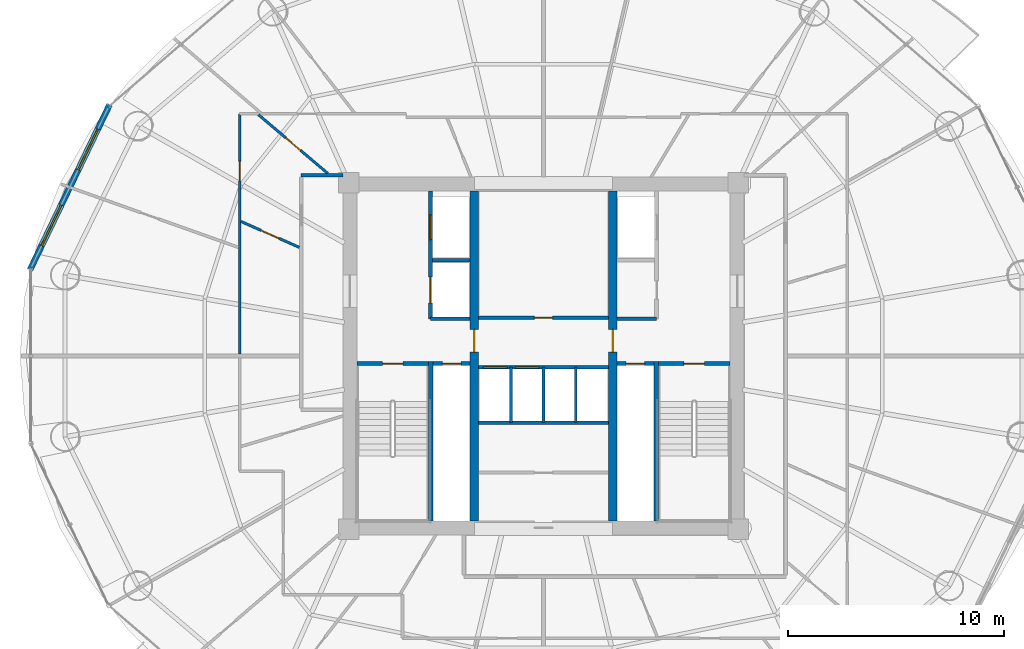
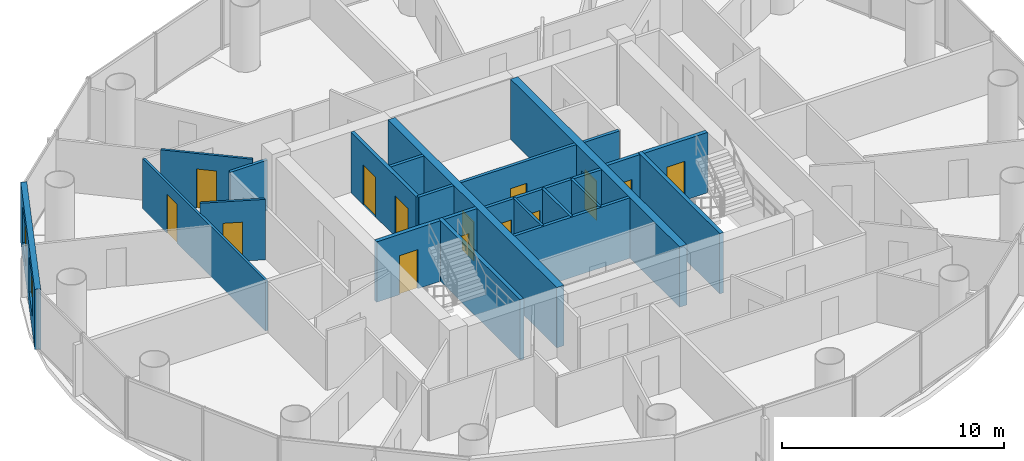
# One storey, part 22 of 27: 23 walls, 14 doors, 2 windows, 16 openings.
"""IFC4 building model written with IfcOpenShell, lengths in metres."""

from ifc_helpers import new_model, si_unit, direction, frame, frame_2d, origin, place, context, subcontext, project, spatial, rectangle, extrude, source, transform, mapped, material, layer, layer_set, type_object, element, fill, save


model = new_model("IFC4")

# Units and contexts
model_context = context("Model", 3, precision=1e-05, world=origin(), true_north=direction((-0.2419218956, 0.970295726276)))
body_context = subcontext(model_context, "Body", "Model", "MODEL_VIEW")
ifc_project = project(units=[si_unit("LENGTHUNIT", "METRE"), si_unit("AREAUNIT", "SQUARE_METRE"), si_unit("VOLUMEUNIT", "CUBIC_METRE"), si_unit("PLANEANGLEUNIT", "RADIAN"), si_unit("MASSUNIT", "GRAM", prefix="KILO")], contexts=[model_context])

# Site, building, storey
site_placement = place(None, origin())
site = spatial("IfcSite", under=ifc_project, at=site_placement, CompositionType="ELEMENT")
building_placement = place(site_placement, origin())
building = spatial("IfcBuilding", under=site, at=building_placement, Name="Cobrevalo Terracotta Tower", CompositionType="ELEMENT")
storey_placement = place(building_placement, frame((0.0, 0.0, 160.60009765625)))
storey = spatial("IfcBuildingStorey", under=building, at=storey_placement, Name="L42", CompositionType="ELEMENT", Elevation=160.60009765625)

# Walls
ifc_material_1 = material(Name="Gypsum board on steel stud", Category="steel")
ifc_layer_1 = layer(ifc_material_1, 0.159912109375)
ifc_layer_set_1 = layer_set([ifc_layer_1], Name="Gypsum board on steel stud")
wall_type_1 = type_object("IfcWallType", Name="Fire-rated corridor acoustic partition wall 160 mm", PredefinedType="PARTITIONING", material=ifc_layer_set_1)
wall_1_placement = place(storey_placement, frame((32.860107421875, 31.219970703125, 0.0), z_axis=(0.0, 0.0, 1.0), x_axis=(1.0, 0.0, 0.0)))
element("IfcWall", 1, at=wall_1_placement, inside=storey, type_object=wall_type_1, Name="L42 interior partition IW-L42-FF1-M", PredefinedType="PARTITIONING", context=body_context, shape_type="SweptSolid", body=[
    extrude(rectangle(XDim=1.75, YDim=0.159912109375, at=frame_2d((0.875, 0.0))), origin(), (0.0, 0.0, 1.0), 3.329833984375),
])
for number, where, z_axis, x_axis, name in (
    (2, (32.77001953125, 28.52001953125, 0.0), (0.0, 0.0, 1.0), (1.0, 0.0, 0.0), "L42 interior partition IW-L42-FF1-S"),
    (3, (41.389892578125, 28.52001953125, 0.0), (0.0, 0.0, 1.0), (1.0, 0.0, 0.0), "L42 interior partition IW-L42-FF2-S"),
):
    element("IfcWall", number, at=place(storey_placement, frame(where, z_axis=z_axis, x_axis=x_axis)), inside=storey, type_object=wall_type_1, Name=name, PredefinedType="PARTITIONING", context=body_context, shape_type="SweptSolid", body=[
        extrude(rectangle(XDim=1.840087890625, YDim=0.159912109375, at=frame_2d((0.919921875, 0.0))), origin(), (0.0, 0.0, 1.0), 3.329833984375),
    ])

# Wall, opening, door
wall_2_placement = place(storey_placement, frame((34.989990234375, 28.56005859375, 0.0), z_axis=(0.0, 0.0, 1.0), x_axis=(1.0, 0.0, 0.0)))
wall_2 = element("IfcWall", 4, at=wall_2_placement, inside=storey, type_object=wall_type_1, Name="L42 interior partition IW-L42-LB-S", PredefinedType="PARTITIONING", context=body_context, shape_type="SweptSolid", body=[
    extrude(rectangle(XDim=6.02001953125, YDim=0.159912109375, at=frame_2d((3.010009765625, 0.0))), origin(), (0.0, 0.0, 1.0), 3.329833984375),
])
opening_1_placement = place(wall_2_placement, frame((2.5849609375, 0.0, 0.0)))
opening_1 = element("IfcOpeningElement", 5, at=opening_1_placement, cuts=wall_2, Name="Opening ID-22", PredefinedType="OPENING", context=body_context, shape_type="SweptSolid", body=[
    extrude(rectangle(XDim=0.85009765625, YDim=2.10009765625, at=frame_2d((0.425048828125, 1.050048828125))), frame((0.0, 0.08984375, 0.0), z_axis=(0.0, -1.0, 0.0), x_axis=(1.0, 0.0, 0.0)), (0.0, 0.0, 1.0), 0.179931640625),
])
ifc_material_2 = material(Name="Powder-coated steel", Category="steel")
door_type_1 = type_object("IfcDoorType", Name="Riser shaft & meter closet fire access door 850x2100 EI 60", OperationType="NOTDEFINED", PredefinedType="DOOR", material=ifc_material_2)
shared_shape_1 = source(origin(), body_context, "Body", "SweptSolid", [
    extrude(rectangle(XDim=0.85009765625, YDim=2.10009765625, at=frame_2d((0.425048828125, 1.050048828125))), frame((0.0, 0.02490234375, 0.0), z_axis=(0.0, -1.0, 0.0), x_axis=(1.0, 0.0, 0.0)), (0.0, 0.0, 1.0), 0.050048828125),
])
door_1_placement = place(opening_1_placement, origin())
door_1 = element("IfcDoor", 6, at=door_1_placement, inside=storey, type_object=door_type_1, Name="L42 core service door Floor Electrical Switchroom", OperationType="SINGLE_SWING_LEFT", OverallHeight=2.10009765625, OverallWidth=0.85009765625, PredefinedType="DOOR", context=body_context, shape_type="MappedRepresentation", body=[
    mapped(shared_shape_1, transform((0.0, 0.0, 0.0), scale=1.0)),
])
fill(opening_1, door_1)

# Wall, openings, doors
wall_3_placement = place(storey_placement, frame((34.989990234375, 26.280029296875, 0.0), z_axis=(0.0, 0.0, 1.0), x_axis=(1.0, 0.0, 0.0)))
wall_3 = element("IfcWall", 7, at=wall_3_placement, inside=storey, type_object=wall_type_1, Name="L42 interior partition IW-L42-MB-N", PredefinedType="PARTITIONING", context=body_context, shape_type="SweptSolid", body=[
    extrude(rectangle(XDim=6.02001953125, YDim=0.159912109375, at=frame_2d((3.010009765625, 0.0))), origin(), (0.0, 0.0, 1.0), 3.329833984375),
])
opening_2_placement = place(wall_3_placement, frame((0.22509765625, 0.0, 0.0)))
opening_2 = element("IfcOpeningElement", 8, at=opening_2_placement, cuts=wall_3, Name="Opening LD-01", PredefinedType="OPENING", context=body_context, shape_type="SweptSolid", body=[
    extrude(rectangle(XDim=1.10009765625, YDim=2.199951171875, at=frame_2d((0.550048828125, 1.10009765625))), frame((0.0, 0.08984375, 0.0), z_axis=(0.0, -1.0, 0.0), x_axis=(1.0, 0.0, 0.0)), (0.0, 0.0, 1.0), 0.179931640625),
])
opening_3_placement = place(wall_3_placement, frame((1.705078125, 0.0, 0.0)))
opening_3 = element("IfcOpeningElement", 9, at=opening_3_placement, cuts=wall_3, Name="Opening LD-01", PredefinedType="OPENING", context=body_context, shape_type="SweptSolid", body=[
    extrude(rectangle(XDim=1.10009765625, YDim=2.199951171875, at=frame_2d((0.550048828125, 1.10009765625))), frame((0.0, 0.08984375, 0.0), z_axis=(0.0, -1.0, 0.0), x_axis=(1.0, 0.0, 0.0)), (0.0, 0.0, 1.0), 0.179931640625),
])
ifc_material_3 = material(Name="Brushed stainless steel", Category="steel")
door_type_2 = type_object("IfcDoorType", Name="Passenger lift landing bi-parting sliding door 1100x2200 EI 90", OperationType="DOUBLE_DOOR_SLIDING", PredefinedType="DOOR", material=ifc_material_3)
shared_shape_2 = source(origin(), body_context, "Body", "SweptSolid", [
    extrude(rectangle(XDim=1.10009765625, YDim=2.199951171875, at=frame_2d((0.550048828125, 1.10009765625))), frame((0.0, 0.02490234375, 0.0), z_axis=(0.0, -1.0, 0.0), x_axis=(1.0, 0.0, 0.0)), (0.0, 0.0, 1.0), 0.050048828125),
])
door_2_placement = place(opening_2_placement, origin())
door_2 = element("IfcDoor", 10, at=door_2_placement, inside=storey, type_object=door_type_2, Name="L42 lift landing door PL-M1", OperationType="DOUBLE_DOOR_SLIDING", OverallHeight=2.199951171875, OverallWidth=1.10009765625, PredefinedType="DOOR", context=body_context, shape_type="MappedRepresentation", body=[
    mapped(shared_shape_2, transform((0.0, 0.0, 0.0), scale=1.0)),
])
fill(opening_2, door_2)
door_3_placement = place(opening_3_placement, origin())
door_3 = element("IfcDoor", 11, at=door_3_placement, inside=storey, type_object=door_type_2, Name="L42 lift landing door PL-M2", OperationType="DOUBLE_DOOR_SLIDING", OverallHeight=2.199951171875, OverallWidth=1.10009765625, PredefinedType="DOOR", context=body_context, shape_type="MappedRepresentation", body=[
    mapped(shared_shape_2, transform((0.0, 0.0, 0.0), scale=1.0)),
])
fill(opening_3, door_3)

# Walls
wall_4_placement = place(storey_placement, frame((34.989990234375, 23.719970703125, 0.0), z_axis=(0.0, 0.0, 1.0), x_axis=(1.0, 0.0, 0.0)))
element("IfcWall", 12, at=wall_4_placement, inside=storey, type_object=wall_type_1, Name="L42 interior partition IW-L42-MB-S", PredefinedType="PARTITIONING", context=body_context, shape_type="SweptSolid", body=[
    extrude(rectangle(XDim=6.02001953125, YDim=0.159912109375, at=frame_2d((3.010009765625, 0.0))), origin(), (0.0, 0.0, 1.0), 3.329833984375),
])
wall_5_placement = place(storey_placement, frame((26.794921875, 35.155029296875, 0.0), z_axis=(0.0, 0.0, 1.0), x_axis=(1.0, 0.0, 0.0)))
element("IfcWall", 13, at=wall_5_placement, inside=storey, type_object=wall_type_1, Name="L42 interior partition IW-L42-COR-WN-CAP", PredefinedType="PARTITIONING", context=body_context, shape_type="SweptSolid", body=[
    extrude(rectangle(XDim=1.93017578125, YDim=0.159912109375, at=frame_2d((0.965087890625, 0.0))), origin(), (0.0, 0.0, 1.0), 2.77587890625),
])

# Wall, opening, door
ifc_layer_2 = layer(ifc_material_1, 0.179931640625)
ifc_layer_set_2 = layer_set([ifc_layer_2], Name="Gypsum board on steel stud")
wall_type_2 = type_object("IfcWallType", Name="Fire-rated shaft & lobby acoustic partition wall 180 mm", PredefinedType="PARTITIONING", material=ifc_layer_set_2)
wall_6_placement = place(storey_placement, frame((32.89990234375, 26.449951171875, 0.0), z_axis=(0.0, 0.0, 1.0), x_axis=(1.0, 0.0, 0.0)))
wall_6 = element("IfcWall", 14, at=wall_6_placement, inside=storey, type_object=wall_type_2, Name="L42 interior partition IW-L42-RSW-N", PredefinedType="PARTITIONING", context=body_context, shape_type="SweptSolid", body=[
    extrude(rectangle(XDim=1.710205078125, YDim=0.179931640625, at=frame_2d((0.85498046875, 0.0))), origin(), (0.0, 0.0, 1.0), 3.329833984375),
])
opening_4_placement = place(wall_6_placement, frame((0.429931640625, 0.0, 0.0)))
opening_4 = element("IfcOpeningElement", 15, at=opening_4_placement, cuts=wall_6, Name="Opening ID-22", PredefinedType="OPENING", context=body_context, shape_type="SweptSolid", body=[
    extrude(rectangle(XDim=0.85009765625, YDim=2.10009765625, at=frame_2d((0.425048828125, 1.050048828125))), frame((0.0, 0.10009765625, 0.0), z_axis=(0.0, -1.0, 0.0), x_axis=(1.0, 0.0, 0.0)), (0.0, 0.0, 1.0), 0.199951171875),
])
door_4_placement = place(opening_4_placement, origin())
door_4 = element("IfcDoor", 16, at=door_4_placement, inside=storey, type_object=door_type_1, Name="L42 riser access door RSW", OperationType="SINGLE_SWING_LEFT", OverallHeight=2.10009765625, OverallWidth=0.85009765625, PredefinedType="DOOR", context=body_context, shape_type="MappedRepresentation", body=[
    mapped(shared_shape_1, transform((0.0, 0.0, 0.0), scale=1.0)),
])
fill(opening_4, door_4)

wall_7_placement = place(storey_placement, frame((41.389892578125, 26.449951171875, 0.0), z_axis=(0.0, 0.0, 1.0), x_axis=(1.0, 0.0, 0.0)))
wall_7 = element("IfcWall", 17, at=wall_7_placement, inside=storey, type_object=wall_type_2, Name="L42 interior partition IW-L42-RSE-N", PredefinedType="PARTITIONING", context=body_context, shape_type="SweptSolid", body=[
    extrude(rectangle(XDim=1.710205078125, YDim=0.179931640625, at=frame_2d((0.85498046875, 0.0))), origin(), (0.0, 0.0, 1.0), 3.329833984375),
])
opening_5_placement = place(wall_7_placement, frame((0.429931640625, 0.0, 0.0)))
opening_5 = element("IfcOpeningElement", 18, at=opening_5_placement, cuts=wall_7, Name="Opening ID-22", PredefinedType="OPENING", context=body_context, shape_type="SweptSolid", body=[
    extrude(rectangle(XDim=0.85009765625, YDim=2.10009765625, at=frame_2d((0.425048828125, 1.050048828125))), frame((0.0, 0.10009765625, 0.0), z_axis=(0.0, -1.0, 0.0), x_axis=(1.0, 0.0, 0.0)), (0.0, 0.0, 1.0), 0.199951171875),
])
door_5_placement = place(opening_5_placement, origin())
door_5 = element("IfcDoor", 19, at=door_5_placement, inside=storey, type_object=door_type_1, Name="L42 riser access door RSE", OperationType="SINGLE_SWING_RIGHT", OverallHeight=2.10009765625, OverallWidth=0.85009765625, PredefinedType="DOOR", context=body_context, shape_type="MappedRepresentation", body=[
    mapped(shared_shape_1, transform((0.0, 0.0, 0.0), scale=1.0)),
])
fill(opening_5, door_5)

# Wall, openings, doors
wall_8_placement = place(storey_placement, frame((32.77001953125, 28.52001953125, 0.0), z_axis=(0.0, 0.0, 1.0), x_axis=(0.0, 1.0, 0.0)))
wall_8 = element("IfcWall", 20, at=wall_8_placement, inside=storey, type_object=wall_type_2, Name="L42 interior partition IW-L42-FF1-W", PredefinedType="PARTITIONING", context=body_context, shape_type="SweptSolid", body=[
    extrude(rectangle(XDim=5.905029296875, YDim=0.179931640625, at=frame_2d((2.95263671875, 0.0))), origin(), (0.0, 0.0, 1.0), 3.329833984375),
])
opening_6_placement = place(wall_8_placement, frame((3.655029296875, 0.0, 0.0)))
opening_6 = element("IfcOpeningElement", 21, at=opening_6_placement, cuts=wall_8, Name="Opening LD-02", PredefinedType="OPENING", context=body_context, shape_type="SweptSolid", body=[
    extrude(rectangle(XDim=1.14990234375, YDim=2.199951171875, at=frame_2d((0.574951171875, 1.10009765625))), frame((0.0, 0.10009765625, 0.0), z_axis=(0.0, -1.0, 0.0), x_axis=(1.0, 0.0, 0.0)), (0.0, 0.0, 1.0), 0.199951171875),
])
opening_7_placement = place(wall_8_placement, frame((0.72998046875, 0.0, 0.0)))
opening_7 = element("IfcOpeningElement", 22, at=opening_7_placement, cuts=wall_8, Name="Opening LD-03", PredefinedType="OPENING", context=body_context, shape_type="SweptSolid", body=[
    extrude(rectangle(XDim=1.199951171875, YDim=2.25, at=frame_2d((0.60009765625, 1.125))), frame((0.0, 0.10009765625, 0.0), z_axis=(0.0, -1.0, 0.0), x_axis=(1.0, 0.0, 0.0)), (0.0, 0.0, 1.0), 0.199951171875),
])
door_type_3 = type_object("IfcDoorType", Name="Firefighting lift landing bi-parting sliding door 1150x2200 EI 120", OperationType="DOUBLE_DOOR_SLIDING", PredefinedType="DOOR", material=ifc_material_3)
shared_shape_3 = source(origin(), body_context, "Body", "SweptSolid", [
    extrude(rectangle(XDim=1.14990234375, YDim=2.199951171875, at=frame_2d((0.574951171875, 1.10009765625))), frame((0.0, 0.02490234375, 0.0), z_axis=(0.0, -1.0, 0.0), x_axis=(1.0, 0.0, 0.0)), (0.0, 0.0, 1.0), 0.050048828125),
])
door_6_placement = place(opening_6_placement, origin())
door_6 = element("IfcDoor", 23, at=door_6_placement, inside=storey, type_object=door_type_3, Name="L42 lift landing door FF-1", OperationType="DOUBLE_DOOR_SLIDING", OverallHeight=2.199951171875, OverallWidth=1.14990234375, PredefinedType="DOOR", context=body_context, shape_type="MappedRepresentation", body=[
    mapped(shared_shape_3, transform((0.0, 0.0, 0.0), scale=1.0)),
])
fill(opening_6, door_6)
door_type_4 = type_object("IfcDoorType", Name="Service lift landing bi-parting sliding door 1200x2250 EI 120", OperationType="DOUBLE_DOOR_SLIDING", PredefinedType="DOOR", material=ifc_material_3)
shared_shape_4 = source(origin(), body_context, "Body", "SweptSolid", [
    extrude(rectangle(XDim=1.199951171875, YDim=2.25, at=frame_2d((0.60009765625, 1.125))), frame((0.0, 0.02490234375, 0.0), z_axis=(0.0, -1.0, 0.0), x_axis=(1.0, 0.0, 0.0)), (0.0, 0.0, 1.0), 0.050048828125),
])
door_7_placement = place(opening_7_placement, origin())
door_7 = element("IfcDoor", 24, at=door_7_placement, inside=storey, type_object=door_type_4, Name="L42 lift landing door SV-1", OperationType="DOUBLE_DOOR_SLIDING", OverallHeight=2.25, OverallWidth=1.199951171875, PredefinedType="DOOR", context=body_context, shape_type="MappedRepresentation", body=[
    mapped(shared_shape_4, transform((0.0, 0.0, 0.0), scale=1.0)),
])
fill(opening_7, door_7)

# Walls
ifc_material_4 = material(Name="Autoclaved aerated concrete block", Category="concrete")
ifc_layer_3 = layer(ifc_material_4, 0.1201171875)
ifc_layer_set_3 = layer_set([ifc_layer_3], Name="Autoclaved aerated concrete block")
wall_type_3 = type_object("IfcWallType", Name="Fire-rated wet-room & core service partition 120 mm", PredefinedType="PARTITIONING", material=ifc_layer_set_3)
for number, where, z_axis, x_axis, name in (
    (25, (36.5, 23.719970703125, 0.0), (0.0, 0.0, 1.0), (0.0, 1.0, 0.0), "L42 interior partition IW-L42-MB-D1"),
    (26, (39.5, 23.719970703125, 0.0), (0.0, 0.0, 1.0), (0.0, 1.0, 0.0), "L42 interior partition IW-L42-MB-D3"),
):
    element("IfcWall", number, at=place(storey_placement, frame(where, z_axis=z_axis, x_axis=x_axis)), inside=storey, type_object=wall_type_3, Name=name, PredefinedType="PARTITIONING", context=body_context, shape_type="SweptSolid", body=[
        extrude(rectangle(XDim=2.56005859375, YDim=0.1201171875, at=frame_2d((1.280029296875, 0.0))), origin(), (0.0, 0.0, 1.0), 3.329833984375),
    ])

# Wall, openings, windows
ifc_layer_4 = layer(ifc_material_4, 0.280029296875)
ifc_layer_set_4 = layer_set([ifc_layer_4], Name="Autoclaved aerated concrete block")
wall_type_4 = type_object("IfcWallType", Name="Insulated tower spandrel & pier wall 280 mm with terracotta rainscreen", PredefinedType="SOLIDWALL", material=ifc_layer_set_4)
wall_9_placement = place(storey_placement, frame((17.938232421875, 38.411376953125, 0.0), z_axis=(0.0, 0.0, 1.0), x_axis=(-0.434209827226, -0.900811759437, 0.0)))
wall_9 = element("IfcWall", 27, at=wall_9_placement, inside=storey, type_object=wall_type_4, Name="L42 terracotta rainscreen pier wall S07", PredefinedType="SOLIDWALL", context=body_context, shape_type="SweptSolid", body=[
    extrude(rectangle(XDim=8.4716796875, YDim=0.280029296875, at=frame_2d((4.23583984375, 0.0))), origin(), (0.0, 0.0, 1.0), 3.329833984375),
])
opening_8_placement = place(wall_9_placement, frame((1.2373046875, 0.0, 0.85009765625)))
opening_8 = element("IfcOpeningElement", 28, at=opening_8_placement, cuts=wall_9, Name="Opening WN-10", PredefinedType="OPENING", context=body_context, shape_type="SweptSolid", body=[
    extrude(rectangle(XDim=2.10009765625, YDim=1.949951171875, at=frame_2d((1.050048828125, 0.97509765625))), frame((0.0, 0.14990234375, 0.0), z_axis=(0.0, -1.0, 0.0), x_axis=(1.0, 0.0, 0.0)), (0.0, 0.0, 1.0), 0.300048828125),
])
opening_9_placement = place(wall_9_placement, frame((5.13427734375, 0.0, 0.85009765625)))
opening_9 = element("IfcOpeningElement", 29, at=opening_9_placement, cuts=wall_9, Name="Opening WN-10", PredefinedType="OPENING", context=body_context, shape_type="SweptSolid", body=[
    extrude(rectangle(XDim=2.10009765625, YDim=1.949951171875, at=frame_2d((1.050048828125, 0.97509765625))), frame((0.0, 0.14990234375, 0.0), z_axis=(0.0, -1.0, 0.0), x_axis=(1.0, 0.0, 0.0)), (0.0, 0.0, 1.0), 0.300048828125),
])
ifc_material_5 = material(Name="Solar-control low-E double glazing", Category="glass")
window_type = type_object("IfcWindowType", Name="Wide panoramic low-E aluminium window 2100x1950", PartitioningType="SINGLE_PANEL", PredefinedType="WINDOW", material=ifc_material_5)
shared_shape_5 = source(origin(), body_context, "Body", "SweptSolid", [
    extrude(rectangle(XDim=2.10009765625, YDim=1.949951171875, at=frame_2d((1.050048828125, 0.97509765625))), frame((0.0, 0.030029296875, 0.0), z_axis=(0.0, -1.0, 0.0), x_axis=(1.0, 0.0, 0.0)), (0.0, 0.0, 1.0), 0.06005859375),
])
window_1_placement = place(opening_8_placement, origin())
window_1 = element("IfcWindow", 30, at=window_1_placement, inside=storey, type_object=window_type, Name="L42 suite window S07A", OverallHeight=1.949951171875, OverallWidth=2.10009765625, PartitioningType="SINGLE_PANEL", PredefinedType="WINDOW", context=body_context, shape_type="MappedRepresentation", body=[
    mapped(shared_shape_5, transform((0.0, 0.0, 0.0), scale=1.0)),
])
fill(opening_8, window_1)
window_2_placement = place(opening_9_placement, origin())
window_2 = element("IfcWindow", 31, at=window_2_placement, inside=storey, type_object=window_type, Name="L42 suite window S07B", OverallHeight=1.949951171875, OverallWidth=2.10009765625, PartitioningType="SINGLE_PANEL", PredefinedType="WINDOW", context=body_context, shape_type="MappedRepresentation", body=[
    mapped(shared_shape_5, transform((0.0, 0.0, 0.0), scale=1.0)),
])
fill(opening_9, window_2)

# Wall, opening, door
ifc_material_6 = material(Name="Concrete C50", Category="concrete")
ifc_layer_5 = layer(ifc_material_6, 0.3798828125)
ifc_layer_set_5 = layer_set([ifc_layer_5], Name="Concrete C50")
wall_type_5 = type_object("IfcWallType", Name="Internal core shear web wall 380 mm Concrete C50", PredefinedType="SHEAR", material=ifc_layer_set_5)
wall_10_placement = place(storey_placement, frame((34.800048828125, 19.175048828125, 0.0), z_axis=(0.0, 0.0, 1.0), x_axis=(0.0, 1.0, 0.0)))
wall_10 = element("IfcWall", 32, at=wall_10_placement, inside=storey, type_object=wall_type_5, Name="L42 internal core shear wall WEB-W", PredefinedType="SHEAR", context=body_context, shape_type="SweptSolid", body=[
    extrude(rectangle(XDim=15.25, YDim=0.3798828125, at=frame_2d((7.625, 0.0))), origin(), (0.0, 0.0, 1.0), 3.329833984375),
])
opening_10_placement = place(wall_10_placement, frame((7.800048828125, 0.0, 0.0)))
opening_10 = element("IfcOpeningElement", 33, at=opening_10_placement, cuts=wall_10, Name="Opening ID-11", PredefinedType="OPENING", context=body_context, shape_type="SweptSolid", body=[
    extrude(rectangle(XDim=1.050048828125, YDim=2.14990234375, at=frame_2d((0.52490234375, 1.074951171875))), frame((0.0, 0.199951171875, 0.0), z_axis=(0.0, -1.0, 0.0), x_axis=(1.0, 0.0, 0.0)), (0.0, 0.0, 1.0), 0.39990234375),
])
ifc_material_7 = material(Name="Galvanized fire-rated steel", Category="steel")
door_type_5 = type_object("IfcDoorType", Name="Core concourse cross fire door 1050x2150 EI 90", OperationType="NOTDEFINED", PredefinedType="DOOR", material=ifc_material_7)
shared_shape_6 = source(origin(), body_context, "Body", "SweptSolid", [
    extrude(rectangle(XDim=1.050048828125, YDim=2.14990234375, at=frame_2d((0.52490234375, 1.074951171875))), frame((0.0, 0.02490234375, 0.0), z_axis=(0.0, -1.0, 0.0), x_axis=(1.0, 0.0, 0.0)), (0.0, 0.0, 1.0), 0.050048828125),
])
door_8_placement = place(opening_10_placement, origin())
door_8 = element("IfcDoor", 34, at=door_8_placement, inside=storey, type_object=door_type_5, Name="L42 west core concourse cross door", OperationType="SINGLE_SWING_LEFT", OverallHeight=2.14990234375, OverallWidth=1.050048828125, PredefinedType="DOOR", context=body_context, shape_type="MappedRepresentation", body=[
    mapped(shared_shape_6, transform((0.0, 0.0, 0.0), scale=1.0)),
])
fill(opening_10, door_8)

wall_11_placement = place(storey_placement, frame((41.199951171875, 19.175048828125, 0.0), z_axis=(0.0, 0.0, 1.0), x_axis=(0.0, 1.0, 0.0)))
wall_11 = element("IfcWall", 35, at=wall_11_placement, inside=storey, type_object=wall_type_5, Name="L42 internal core shear wall WEB-E", PredefinedType="SHEAR", context=body_context, shape_type="SweptSolid", body=[
    extrude(rectangle(XDim=15.25, YDim=0.3798828125, at=frame_2d((7.625, 0.0))), origin(), (0.0, 0.0, 1.0), 3.329833984375),
])
opening_11_placement = place(wall_11_placement, frame((7.800048828125, 0.0, 0.0)))
opening_11 = element("IfcOpeningElement", 36, at=opening_11_placement, cuts=wall_11, Name="Opening ID-11", PredefinedType="OPENING", context=body_context, shape_type="SweptSolid", body=[
    extrude(rectangle(XDim=1.050048828125, YDim=2.14990234375, at=frame_2d((0.52490234375, 1.074951171875))), frame((0.0, 0.199951171875, 0.0), z_axis=(0.0, -1.0, 0.0), x_axis=(1.0, 0.0, 0.0)), (0.0, 0.0, 1.0), 0.39990234375),
])
door_9_placement = place(opening_11_placement, frame((1.050048828125, 0.0, 0.0), z_axis=(0.0, 0.0, 1.0), x_axis=(-1.0, 0.0, 0.0)))
door_9 = element("IfcDoor", 37, at=door_9_placement, inside=storey, type_object=door_type_5, Name="L42 east core concourse cross door", OperationType="SINGLE_SWING_RIGHT", OverallHeight=2.14990234375, OverallWidth=1.050048828125, PredefinedType="DOOR", context=body_context, shape_type="MappedRepresentation", body=[
    mapped(shared_shape_6, transform((0.0, 0.0, 0.0), scale=1.0)),
])
fill(opening_11, door_9)

# Wall
ifc_layer_6 = layer(ifc_material_4, 0.139892578125)
ifc_layer_set_6 = layer_set([ifc_layer_6], Name="Autoclaved aerated concrete block")
wall_type_6 = type_object("IfcWallType", Name="Moisture-resistant wet-room & core service partition 140 mm", PredefinedType="PARTITIONING", material=ifc_layer_set_6)
wall_12_placement = place(storey_placement, frame((38.0, 23.719970703125, 0.0), z_axis=(0.0, 0.0, 1.0), x_axis=(0.0, 1.0, 0.0)))
element("IfcWall", 38, at=wall_12_placement, inside=storey, type_object=wall_type_6, Name="L42 interior partition IW-L42-MB-D2", PredefinedType="PARTITIONING", context=body_context, shape_type="SweptSolid", body=[
    extrude(rectangle(XDim=2.56005859375, YDim=0.139892578125, at=frame_2d((1.280029296875, 0.0))), origin(), (0.0, 0.0, 1.0), 3.329833984375),
])

# Wall, opening, door
ifc_layer_7 = layer(ifc_material_1, 0.1201171875)
ifc_layer_set_7 = layer_set([ifc_layer_7], Name="Gypsum board on steel stud")
wall_type_7 = type_object("IfcWallType", Name="Residential internal acoustic stud partition 120 mm", PredefinedType="PARTITIONING", material=ifc_layer_set_7)
wall_13_placement = place(storey_placement, frame((23.955078125, 26.902099609375, 0.0), z_axis=(0.0, 0.0, 1.0), x_axis=(0.0, 1.0, 0.0)))
wall_13 = element("IfcWall", 39, at=wall_13_placement, inside=storey, type_object=wall_type_7, Name="L42 interior partition IW-L42-U2-RING0_0", PredefinedType="PARTITIONING", context=body_context, shape_type="SweptSolid", body=[
    extrude(rectangle(XDim=11.093017578125, YDim=0.1201171875, at=frame_2d((5.54638671875, 0.0))), origin(), (0.0, 0.0, 1.0), 2.77587890625),
])
opening_12_placement = place(wall_13_placement, frame((7.99658203125, 0.0, 0.0)))
opening_12 = element("IfcOpeningElement", 40, at=opening_12_placement, cuts=wall_13, Name="Opening ID-12", PredefinedType="OPENING", context=body_context, shape_type="SweptSolid", body=[
    extrude(rectangle(XDim=0.89990234375, YDim=2.14990234375, at=frame_2d((0.449951171875, 1.074951171875))), frame((0.0, 0.070068359375, 0.0), z_axis=(0.0, -1.0, 0.0), x_axis=(1.0, 0.0, 0.0)), (0.0, 0.0, 1.0), 0.14013671875),
])
ifc_material_8 = material(Name="Engineered timber", Category="wood")
door_type_6 = type_object("IfcDoorType", Name="Internal residence & suite timber door 900x2150", OperationType="NOTDEFINED", PredefinedType="DOOR", material=ifc_material_8)
shared_shape_7 = source(origin(), body_context, "Body", "SweptSolid", [
    extrude(rectangle(XDim=0.89990234375, YDim=2.14990234375, at=frame_2d((0.449951171875, 1.074951171875))), frame((0.0, 0.02490234375, 0.0), z_axis=(0.0, -1.0, 0.0), x_axis=(1.0, 0.0, 0.0)), (0.0, 0.0, 1.0), 0.050048828125),
])
door_10_placement = place(opening_12_placement, origin())
door_10 = element("IfcDoor", 41, at=door_10_placement, inside=storey, type_object=door_type_6, Name="Flat L42B Principal Guest Bedroom internal door", OperationType="SINGLE_SWING_RIGHT", OverallHeight=2.14990234375, OverallWidth=0.89990234375, PredefinedType="DOOR", context=body_context, shape_type="MappedRepresentation", body=[
    mapped(shared_shape_7, transform((0.0, 0.0, 0.0), scale=1.0)),
])
fill(opening_12, door_10)

wall_14_placement = place(storey_placement, frame((28.032470703125, 35.236328125, 0.0), z_axis=(0.0, 0.0, 1.0), x_axis=(-0.763324664245, 0.646015059388, 0.0)))
wall_14 = element("IfcWall", 42, at=wall_14_placement, inside=storey, type_object=wall_type_7, Name="L42 interior partition IW-L42-U2-IRAD2", PredefinedType="PARTITIONING", context=body_context, shape_type="SweptSolid", body=[
    extrude(rectangle(XDim=4.2080078125, YDim=0.1201171875, at=frame_2d((2.10400390625, 0.0))), origin(), (0.0, 0.0, 1.0), 3.0048828125),
])
opening_13_placement = place(wall_14_placement, frame((1.654052734375, 0.0, 0.0)))
opening_13 = element("IfcOpeningElement", 43, at=opening_13_placement, cuts=wall_14, Name="Opening ID-12", PredefinedType="OPENING", context=body_context, shape_type="SweptSolid", body=[
    extrude(rectangle(XDim=0.89990234375, YDim=2.14990234375, at=frame_2d((0.449951171875, 1.074951171875))), frame((0.0, 0.070068359375, 0.0), z_axis=(0.0, -1.0, 0.0), x_axis=(1.0, 0.0, 0.0)), (0.0, 0.0, 1.0), 0.14013671875),
])
door_11_placement = place(opening_13_placement, frame((0.89990234375, 0.0, 0.0), z_axis=(0.0, 0.0, 1.0), x_axis=(-1.0, 0.0, 0.0)))
door_11 = element("IfcDoor", 44, at=door_11_placement, inside=storey, type_object=door_type_6, Name="Flat L42B Reception Hallway internal door", OperationType="SINGLE_SWING_LEFT", OverallHeight=2.14990234375, OverallWidth=0.89990234375, PredefinedType="DOOR", context=body_context, shape_type="MappedRepresentation", body=[
    mapped(shared_shape_7, transform((0.0, 0.0, 0.0), scale=1.0)),
])
fill(opening_13, door_11)

wall_15_placement = place(storey_placement, frame((26.715087890625, 31.817626953125, 0.0), z_axis=(0.0, 0.0, 1.0), x_axis=(-0.91376049718, 0.406253312347, 0.0)))
wall_15 = element("IfcWall", 45, at=wall_15_placement, inside=storey, type_object=wall_type_7, Name="L42 interior partition IW-L42-U2-IRAD3", PredefinedType="PARTITIONING", context=body_context, shape_type="SweptSolid", body=[
    extrude(rectangle(XDim=2.95849609375, YDim=0.1201171875, at=frame_2d((1.479248046875, 0.0))), origin(), (0.0, 0.0, 1.0), 3.329833984375),
])
opening_14_placement = place(wall_15_placement, frame((1.029296875, 0.0, 0.0)))
opening_14 = element("IfcOpeningElement", 46, at=opening_14_placement, cuts=wall_15, Name="Opening ID-12", PredefinedType="OPENING", context=body_context, shape_type="SweptSolid", body=[
    extrude(rectangle(XDim=0.89990234375, YDim=2.14990234375, at=frame_2d((0.449951171875, 1.074951171875))), frame((0.0, 0.070068359375, 0.0), z_axis=(0.0, -1.0, 0.0), x_axis=(1.0, 0.0, 0.0)), (0.0, 0.0, 1.0), 0.14013671875),
])
door_12_placement = place(opening_14_placement, origin())
door_12 = element("IfcDoor", 47, at=door_12_placement, inside=storey, type_object=door_type_6, Name="Flat L42B Private Library Meeting Room internal door", OperationType="SINGLE_SWING_RIGHT", OverallHeight=2.14990234375, OverallWidth=0.89990234375, PredefinedType="DOOR", context=body_context, shape_type="MappedRepresentation", body=[
    mapped(shared_shape_7, transform((0.0, 0.0, 0.0), scale=1.0)),
])
fill(opening_14, door_12)

# Wall
ifc_layer_8 = layer(ifc_material_6, 0.199951171875)
ifc_layer_set_8 = layer_set([ifc_layer_8], Name="Concrete C50")
wall_type_8 = type_object("IfcWallType", Name="Structural core & podium stair-shaft RC wall 200 mm Concrete C50", PredefinedType="SOLIDWALL", material=ifc_layer_set_8)
wall_16_placement = place(storey_placement, frame((32.794921875, 19.175048828125, 0.0), z_axis=(0.0, 0.0, 1.0), x_axis=(0.0, 1.0, 0.0)))
element("IfcWall", 48, at=wall_16_placement, inside=storey, type_object=wall_type_8, Name="L42 ST-1 east structural shaft wall", PredefinedType="SOLIDWALL", context=body_context, shape_type="SweptSolid", body=[
    extrude(rectangle(XDim=7.375, YDim=0.199951171875, at=frame_2d((3.6875, 0.0))), origin(), (0.0, 0.0, 1.0), 3.329833984375),
])

# Wall, opening, door
wall_17_placement = place(storey_placement, frame((29.375, 26.449951171875, 0.0), z_axis=(0.0, 0.0, 1.0), x_axis=(1.0, 0.0, 0.0)))
wall_17 = element("IfcWall", 49, at=wall_17_placement, inside=storey, type_object=wall_type_8, Name="L42 ST-1 north structural shaft wall", PredefinedType="SOLIDWALL", context=body_context, shape_type="SweptSolid", body=[
    extrude(rectangle(XDim=3.320068359375, YDim=0.199951171875, at=frame_2d((1.66015625, 0.0))), origin(), (0.0, 0.0, 1.0), 3.329833984375),
])
opening_15_placement = place(wall_17_placement, frame((1.18505859375, 0.0, 0.0)))
opening_15 = element("IfcOpeningElement", 50, at=opening_15_placement, cuts=wall_17, Name="Opening ID-04", PredefinedType="OPENING", context=body_context, shape_type="SweptSolid", body=[
    extrude(rectangle(XDim=0.949951171875, YDim=2.14990234375, at=frame_2d((0.47509765625, 1.074951171875))), frame((0.0, 0.10986328125, 0.0), z_axis=(0.0, -1.0, 0.0), x_axis=(1.0, 0.0, 0.0)), (0.0, 0.0, 1.0), 0.219970703125),
])
door_type_7 = type_object("IfcDoorType", Name="Stair & firefighting lobby fire door 950x2150 EI 90", OperationType="NOTDEFINED", PredefinedType="DOOR", material=ifc_material_7)
shared_shape_8 = source(origin(), body_context, "Body", "SweptSolid", [
    extrude(rectangle(XDim=0.949951171875, YDim=2.14990234375, at=frame_2d((0.47509765625, 1.074951171875))), frame((0.0, 0.02490234375, 0.0), z_axis=(0.0, -1.0, 0.0), x_axis=(1.0, 0.0, 0.0)), (0.0, 0.0, 1.0), 0.050048828125),
])
door_13_placement = place(opening_15_placement, origin())
door_13 = element("IfcDoor", 51, at=door_13_placement, inside=storey, type_object=door_type_7, Name="L42 protected stair ST1 fire door", OperationType="SINGLE_SWING_LEFT", OverallHeight=2.14990234375, OverallWidth=0.949951171875, PredefinedType="DOOR", context=body_context, shape_type="MappedRepresentation", body=[
    mapped(shared_shape_8, transform((0.0, 0.0, 0.0), scale=1.0)),
])
fill(opening_15, door_13)

# Wall
wall_18_placement = place(storey_placement, frame((43.205078125, 19.175048828125, 0.0), z_axis=(0.0, 0.0, 1.0), x_axis=(0.0, 1.0, 0.0)))
element("IfcWall", 52, at=wall_18_placement, inside=storey, type_object=wall_type_8, Name="L42 ST-2 west structural shaft wall", PredefinedType="SOLIDWALL", context=body_context, shape_type="SweptSolid", body=[
    extrude(rectangle(XDim=7.375, YDim=0.199951171875, at=frame_2d((3.6875, 0.0))), origin(), (0.0, 0.0, 1.0), 3.329833984375),
])

# Wall, opening, door
wall_19_placement = place(storey_placement, frame((43.304931640625, 26.449951171875, 0.0), z_axis=(0.0, 0.0, 1.0), x_axis=(1.0, 0.0, 0.0)))
wall_19 = element("IfcWall", 53, at=wall_19_placement, inside=storey, type_object=wall_type_8, Name="L42 ST-2 north structural shaft wall", PredefinedType="SOLIDWALL", context=body_context, shape_type="SweptSolid", body=[
    extrude(rectangle(XDim=3.320068359375, YDim=0.199951171875, at=frame_2d((1.66015625, 0.0))), origin(), (0.0, 0.0, 1.0), 3.329833984375),
])
opening_16_placement = place(wall_19_placement, frame((1.18505859375, 0.0, 0.0)))
opening_16 = element("IfcOpeningElement", 54, at=opening_16_placement, cuts=wall_19, Name="Opening ID-04", PredefinedType="OPENING", context=body_context, shape_type="SweptSolid", body=[
    extrude(rectangle(XDim=0.949951171875, YDim=2.14990234375, at=frame_2d((0.47509765625, 1.074951171875))), frame((0.0, 0.10986328125, 0.0), z_axis=(0.0, -1.0, 0.0), x_axis=(1.0, 0.0, 0.0)), (0.0, 0.0, 1.0), 0.219970703125),
])
door_14_placement = place(opening_16_placement, frame((0.949951171875, 0.0, 0.0), z_axis=(0.0, 0.0, 1.0), x_axis=(-1.0, 0.0, 0.0)))
door_14 = element("IfcDoor", 55, at=door_14_placement, inside=storey, type_object=door_type_7, Name="L42 protected stair ST2 fire door", OperationType="SINGLE_SWING_RIGHT", OverallHeight=2.14990234375, OverallWidth=0.949951171875, PredefinedType="DOOR", context=body_context, shape_type="MappedRepresentation", body=[
    mapped(shared_shape_8, transform((0.0, 0.0, 0.0), scale=1.0)),
])
fill(opening_16, door_14)

save(model, "model.ifc")
